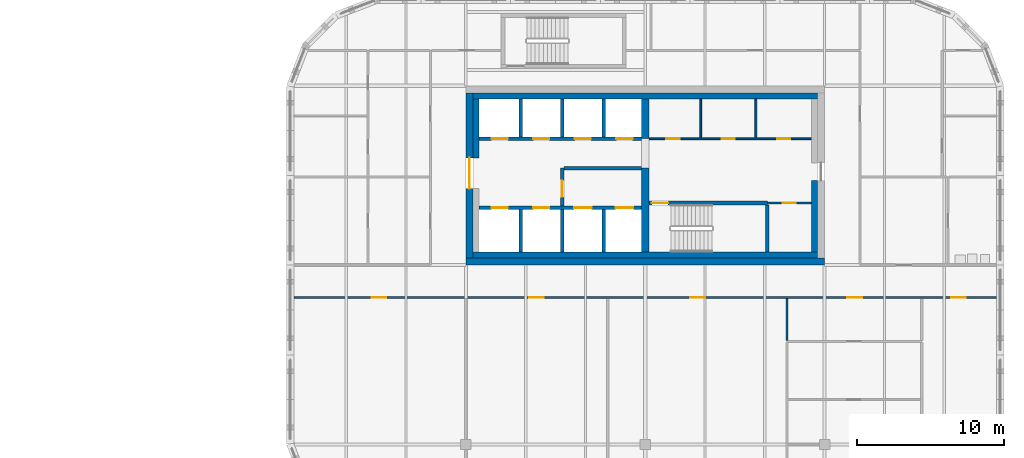
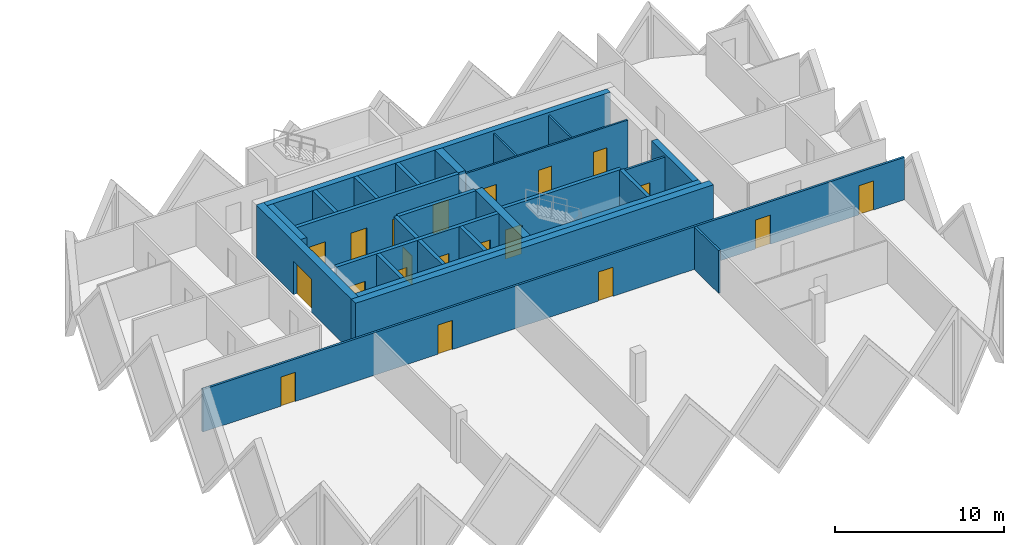
# One storey, part 13 of 19: 26 walls, 20 doors, 20 openings.
"""IFC4 building model written with IfcOpenShell, lengths in metres."""

import ifcopenshell
import ifcopenshell.guid

model = None  # the IFC model being written
_history = None  # IfcOwnerHistory: only IFC2X3 demands one
_inside = {}  # id of a spatial element -> (the spatial element, [elements in it])
_under = {}  # id of a project, library or spatial element -> (it, [spatial elements below it])
_declared = {}  # id of a project -> (the project, [libraries it declares])
_typed = {}  # id of a type object -> (the type object, [elements of that type])
_made_of = {}  # id of a material, layer set ... -> (it, [elements and type objects made of it])


def new_model(schema):
    """Start an empty IFC model of exactly this schema.

    Asked for "IFC4X3", IfcOpenShell would pick the latest addendum, in which some entities
    have other attributes; the version numbers below select the first issue.
    IFC2X3 requires an IfcOwnerHistory on every rooted entity: one is made here for all.
    """
    global model, _history
    if schema == "IFC4X3":
        model = ifcopenshell.file(schema_version=(4, 3, 0, 0))
    else:
        model = ifcopenshell.file(schema=schema)
    _inside.clear()
    _under.clear()
    _declared.clear()
    _typed.clear()
    _made_of.clear()
    _history = None
    if model.schema == "IFC2X3":
        org = make("IfcOrganization", Name="unknown")
        user = make(
            "IfcPersonAndOrganization",
            ThePerson=make("IfcPerson", FamilyName="unknown"),
            TheOrganization=org,
        )
        app = make(
            "IfcApplication",
            ApplicationDeveloper=org,
            Version="unknown",
            ApplicationFullName="unknown",
            ApplicationIdentifier="unknown",
        )
        _history = make(
            "IfcOwnerHistory",
            OwningUser=user,
            OwningApplication=app,
            ChangeAction="ADDED",
            CreationDate=0,
        )
    return model


def make(cls, **values):
    """One entity of the class cls with the attributes given. An attribute that is None is left unset."""
    return model.create_entity(
        cls, **{name: value for name, value in values.items() if value is not None}
    )


def rooted(cls, **values):
    """An entity with a GlobalId (a new one), such as an element, a storey or a relation."""
    return make(cls, GlobalId=ifcopenshell.guid.new(), OwnerHistory=_history, **values)


def si_unit(unit_type, name, prefix=None):
    """IfcSIUnit, for example si_unit("LENGTHUNIT", "METRE", prefix="MILLI")."""
    return make("IfcSIUnit", UnitType=unit_type, Prefix=prefix, Name=name)


def assignment(units):
    """IfcUnitAssignment: the units of a project."""
    return None if units is None else make("IfcUnitAssignment", Units=units)


def point(xyz):
    """IfcCartesianPoint."""
    return None if xyz is None else make("IfcCartesianPoint", Coordinates=xyz)


def direction(xyz):
    """IfcDirection."""
    return None if xyz is None else make("IfcDirection", DirectionRatios=xyz)


def frame(location, z_axis=None, x_axis=None):
    """IfcAxis2Placement3D, a coordinate frame: its origin and axes. An axis left out is left unset."""
    return make(
        "IfcAxis2Placement3D",
        Location=point(location),
        Axis=direction(z_axis),
        RefDirection=direction(x_axis),
    )


def frame_2d(location, x_axis=None):
    """IfcAxis2Placement2D, a coordinate frame in the plane: its origin and x axis."""
    return make(
        "IfcAxis2Placement2D", Location=point(location), RefDirection=direction(x_axis)
    )


def origin():
    """The frame at (0, 0, 0) with its axes left unset."""
    return frame((0.0, 0.0, 0.0))


def place(relative_to, where):
    """IfcLocalPlacement: puts the frame where relative to a parent placement (None: the world)."""
    return make(
        "IfcLocalPlacement", PlacementRelTo=relative_to, RelativePlacement=where
    )


def context(
    kind, dimensions, precision=None, world=None, true_north=None, identifier=None
):
    """IfcGeometricRepresentationContext, for example the 3D "Model" context."""
    return make(
        "IfcGeometricRepresentationContext",
        ContextIdentifier=identifier,
        ContextType=kind,
        CoordinateSpaceDimension=dimensions,
        Precision=precision,
        WorldCoordinateSystem=world,
        TrueNorth=true_north,
    )


def subcontext(parent, identifier, kind, view, scale=None):
    """IfcGeometricRepresentationSubContext, for example "Body" below "Model"."""
    return make(
        "IfcGeometricRepresentationSubContext",
        ContextIdentifier=identifier,
        ContextType=kind,
        ParentContext=parent,
        TargetScale=scale,
        TargetView=view,
    )


def project(units=None, contexts=None):
    """IfcProject with its units and contexts."""
    return rooted(
        "IfcProject",
        Name="project",
        RepresentationContexts=contexts,
        UnitsInContext=assignment(units),
    )


def spatial(cls, under=None, at=None, **own):
    """A site, building, storey or space (cls), placed at a placement, below another one or the project."""
    s = rooted(cls, ObjectPlacement=at, **own)
    if under is not None:
        _under.setdefault(under.id(), (under, []))[1].append(s)
    return s


def profile(cls, at=None, kind="AREA", **sizes):
    """A parametric profile (cls). Its sizes go by their IFC names, for example OverallWidth=200.0."""
    return make(cls, ProfileType=kind, Position=at, **sizes)


def rectangle(**sizes):
    """IfcRectangleProfileDef."""
    return profile("IfcRectangleProfileDef", **sizes)


def extrude(swept, where, along, depth):
    """IfcExtrudedAreaSolid: the profile swept, set in the frame where, extruded along a direction by depth."""
    return make(
        "IfcExtrudedAreaSolid",
        SweptArea=swept,
        Position=where,
        ExtrudedDirection=direction(along),
        Depth=depth,
    )


def shape(context_of_items, identifier, shape_type, items):
    """IfcShapeRepresentation: the items that make up one representation, for example the "Body"."""
    return make(
        "IfcShapeRepresentation",
        ContextOfItems=context_of_items,
        RepresentationIdentifier=identifier,
        RepresentationType=shape_type,
        Items=items,
    )


def source(mapping_origin, context_of_items, identifier, shape_type, items):
    """IfcRepresentationMap: a shape defined once, which mapped items show again and again."""
    return make(
        "IfcRepresentationMap",
        MappingOrigin=mapping_origin,
        MappedRepresentation=shape(context_of_items, identifier, shape_type, items),
    )


def transform(
    local_origin,
    x_axis=None,
    y_axis=None,
    z_axis=None,
    scale=None,
    scale2=None,
    scale3=None,
    uniform=True,
):
    """IfcCartesianTransformationOperator3D, or its non-uniform kind. x_axis, y_axis, z_axis: its Axis1, 2, 3."""
    if uniform:
        return make(
            "IfcCartesianTransformationOperator3D",
            Axis1=direction(x_axis),
            Axis2=direction(y_axis),
            LocalOrigin=point(local_origin),
            Scale=scale,
            Axis3=direction(z_axis),
        )
    return make(
        "IfcCartesianTransformationOperator3DnonUniform",
        Axis1=direction(x_axis),
        Axis2=direction(y_axis),
        LocalOrigin=point(local_origin),
        Scale=scale,
        Axis3=direction(z_axis),
        Scale2=scale2,
        Scale3=scale3,
    )


def mapped(mapping_source, mapping_target):
    """IfcMappedItem: shows the shape of a source again, moved by a transform."""
    return make(
        "IfcMappedItem", MappingSource=mapping_source, MappingTarget=mapping_target
    )


def material(Name=None, Category=None):
    """IfcMaterial."""
    return make("IfcMaterial", Name=Name, Category=Category)


def layer(
    of_material, thickness, ventilated=None, Name=None, Category=None, Priority=None
):
    """IfcMaterialLayer: one layer of a wall or slab, of a material (None: an air gap)."""
    return make(
        "IfcMaterialLayer",
        Material=of_material,
        LayerThickness=thickness,
        IsVentilated=ventilated,
        Name=Name,
        Category=Category,
        Priority=Priority,
    )


def layer_set(layers, Name=None):
    """IfcMaterialLayerSet."""
    return make("IfcMaterialLayerSet", MaterialLayers=layers, LayerSetName=Name)


def made_of(thing, what):
    """Note that an element or type object is made of a material, layer set ...; save() writes the relation."""
    if what is not None:
        _made_of.setdefault(what.id(), (what, []))[1].append(thing)
    return thing


def type_object(cls, material=None, **own):
    """A type object (cls), such as IfcWallType, which elements share."""
    return made_of(rooted(cls, **own), material)


def element(
    cls,
    number,
    at=None,
    inside=None,
    cuts=None,
    type_object=None,
    material=None,
    context=None,
    identifier="Body",
    shape_type=None,
    held_by="IfcProductDefinitionShape",
    body=None,
    shapes=None,
    **own,
):
    """One element of the class cls, such as IfcWall. Its Tag is "e" and its number.

    at: its placement. inside: the storey or other place that contains it. cuts: it is an
    opening in that element (IfcRelVoidsElement). A single representation is given by context,
    identifier, shape_type and body (its items); several are given by shapes. held_by: the class
    of the entity that holds the representations. save() writes the other relations.
    """
    e = rooted(cls, Tag="e%d" % number, ObjectPlacement=at, **own)
    if body is not None:
        shapes = [shape(context, identifier, shape_type, body)]
    if shapes is not None:
        e.Representation = make(held_by, Representations=shapes)
    if inside is not None:
        _inside.setdefault(inside.id(), (inside, []))[1].append(e)
    if cuts is not None:
        rooted(
            "IfcRelVoidsElement", RelatingBuildingElement=cuts, RelatedOpeningElement=e
        )
    if type_object is not None:
        _typed.setdefault(type_object.id(), (type_object, []))[1].append(e)
    return made_of(e, material)


def fill(opening, filler):
    """IfcRelFillsElement: the door or window that sits in an opening."""
    return rooted(
        "IfcRelFillsElement",
        RelatingOpeningElement=opening,
        RelatedBuildingElement=filler,
    )


def aggregate(whole, parts):
    """IfcRelAggregates: a whole, such as a stair, and the parts it consists of."""
    return rooted("IfcRelAggregates", RelatingObject=whole, RelatedObjects=parts)


def save(model, path):
    """Write the relations noted so far, then the file.

    IfcRelAggregates (storeys below a building ...), IfcRelContainedInSpatialStructure (elements
    in a storey), IfcRelDefinesByType, IfcRelAssociatesMaterial and IfcRelDeclares: one each for
    every whole, place, type object, material and project.
    """
    for whole, parts in _under.values():
        aggregate(whole, parts)
    for where, things in _inside.values():
        rooted(
            "IfcRelContainedInSpatialStructure",
            RelatedElements=things,
            RelatingStructure=where,
        )
    for kind, things in _typed.values():
        rooted("IfcRelDefinesByType", RelatedObjects=things, RelatingType=kind)
    for what, things in _made_of.values():
        rooted("IfcRelAssociatesMaterial", RelatedObjects=things, RelatingMaterial=what)
    for by, libraries in _declared.values():
        rooted("IfcRelDeclares", RelatingContext=by, RelatedDefinitions=libraries)
    model.write(path)


model = new_model("IFC4")

# Units and contexts
model_context = context("Model", 3, precision=1e-05, world=origin(), true_north=direction((0.0, 1.0)))
body_context = subcontext(model_context, "Body", "Model", "MODEL_VIEW")
ifc_project = project(units=[si_unit("LENGTHUNIT", "METRE"), si_unit("AREAUNIT", "SQUARE_METRE"), si_unit("VOLUMEUNIT", "CUBIC_METRE"), si_unit("PLANEANGLEUNIT", "RADIAN"), si_unit("MASSUNIT", "GRAM", prefix="KILO")], contexts=[model_context])

# Site, building, storey
site_placement = place(None, origin())
site = spatial("IfcSite", under=ifc_project, at=site_placement, CompositionType="ELEMENT")
building_placement = place(site_placement, origin())
building = spatial("IfcBuilding", under=site, at=building_placement, Name="Tessera Gate Towers", CompositionType="ELEMENT")
storey_placement = place(building_placement, frame((0.0, 0.0, 83.800048828125)))
storey = spatial("IfcBuildingStorey", under=building, at=storey_placement, Name="L20", CompositionType="ELEMENT", Elevation=83.800048828125)

# Wall, openings, doors
ifc_material_1 = material(Name="Concrete C40/50", Category="concrete")
ifc_layer_1 = layer(ifc_material_1, 0.25)
ifc_layer_set_1 = layer_set([ifc_layer_1], Name="CORE ENCLOSURE WALL 250")
wall_type_1 = type_object("IfcWallType", Name="CORE ENCLOSURE WALL 250", PredefinedType="SOLIDWALL", material=ifc_layer_set_1)
wall_1_placement = place(storey_placement, frame((98.5, 40.5, 0.0), z_axis=(0.0, 0.0, 1.0), x_axis=(1.0, 0.0, 0.0)))
wall_1 = element("IfcWall", 1, at=wall_1_placement, inside=storey, type_object=wall_type_1, Name="L20 shaft and stair enclosure wall", PredefinedType="SOLIDWALL", context=body_context, shape_type="SweptSolid", body=[
    extrude(rectangle(XDim=11.050048828125, YDim=0.25, at=frame_2d((5.52490234375, 0.0))), origin(), (0.0, 0.0, 1.0), 3.800048828125),
])
shared_shape_1 = source(origin(), body_context, "Body", "SweptSolid", [
    extrude(rectangle(XDim=1.10009765625, YDim=2.10009765625, at=frame_2d((0.550048828125, 1.050048828125))), frame((0.0, 0.135009765625, 0.0), z_axis=(0.0, -1.0, 0.0), x_axis=(1.0, 0.0, 0.0)), (0.0, 0.0, 1.0), 0.27001953125),
])
opening_1_placement = place(wall_1_placement, frame((0.862548828125, 0.0, 0.0)))
opening_1 = element("IfcOpeningElement", 2, at=opening_1_placement, cuts=wall_1, Name="Opening LD-TL1", PredefinedType="OPENING", context=body_context, shape_type="MappedRepresentation", body=[
    mapped(shared_shape_1, transform((0.0, 0.0, 0.0), scale=1.0)),
])
opening_2_placement = place(wall_1_placement, frame((3.6875, 0.0, 0.0)))
opening_2 = element("IfcOpeningElement", 3, at=opening_2_placement, cuts=wall_1, Name="Opening LD-TL2", PredefinedType="OPENING", context=body_context, shape_type="MappedRepresentation", body=[
    mapped(shared_shape_1, transform((0.0, 0.0, 0.0), scale=1.0)),
])
shared_shape_2 = source(origin(), body_context, "Body", "SweptSolid", [
    extrude(rectangle(XDim=1.199951171875, YDim=2.10009765625, at=frame_2d((0.60009765625, 1.050048828125))), frame((0.0, 0.135009765625, 0.0), z_axis=(0.0, -1.0, 0.0), x_axis=(1.0, 0.0, 0.0)), (0.0, 0.0, 1.0), 0.27001953125),
])
opening_3_placement = place(wall_1_placement, frame((6.46240234375, 0.0, 0.0)))
opening_3 = element("IfcOpeningElement", 4, at=opening_3_placement, cuts=wall_1, Name="Opening LD-FF3", PredefinedType="OPENING", context=body_context, shape_type="MappedRepresentation", body=[
    mapped(shared_shape_2, transform((0.0, 0.0, 0.0), scale=1.0)),
])
opening_4_placement = place(wall_1_placement, frame((9.28759765625, 0.0, 0.0)))
opening_4 = element("IfcOpeningElement", 5, at=opening_4_placement, cuts=wall_1, Name="Opening LD-FF4", PredefinedType="OPENING", context=body_context, shape_type="MappedRepresentation", body=[
    mapped(shared_shape_2, transform((0.0, 0.0, 0.0), scale=1.0)),
])
ifc_material_2 = material(Name="Stainless steel", Category="steel")
door_type_1 = type_object("IfcDoorType", Name="CORE DOOR LD1200 1200x2100", OperationType="DOUBLE_DOOR_SLIDING", PredefinedType="DOOR", material=ifc_material_2)
shared_shape_3 = source(origin(), body_context, "Body", "SweptSolid", [
    extrude(rectangle(XDim=1.199951171875, YDim=2.10009765625, at=frame_2d((0.60009765625, 1.050048828125))), frame((0.0, 0.02490234375, 0.0), z_axis=(0.0, -1.0, 0.0), x_axis=(1.0, 0.0, 0.0)), (0.0, 0.0, 1.0), 0.050048828125),
])
door_1_placement = place(opening_3_placement, origin())
door_1 = element("IfcDoor", 6, at=door_1_placement, inside=storey, type_object=door_type_1, Name="Landing door FF3 L20", OperationType="DOUBLE_DOOR_SLIDING", OverallHeight=2.10009765625, OverallWidth=1.199951171875, PredefinedType="DOOR", context=body_context, shape_type="MappedRepresentation", body=[
    mapped(shared_shape_3, transform((0.0, 0.0, 0.0), scale=1.0)),
])
fill(opening_3, door_1)
door_2_placement = place(opening_4_placement, origin())
door_2 = element("IfcDoor", 7, at=door_2_placement, inside=storey, type_object=door_type_1, Name="Landing door FF4 L20", OperationType="DOUBLE_DOOR_SLIDING", OverallHeight=2.10009765625, OverallWidth=1.199951171875, PredefinedType="DOOR", context=body_context, shape_type="MappedRepresentation", body=[
    mapped(shared_shape_3, transform((0.0, 0.0, 0.0), scale=1.0)),
])
fill(opening_4, door_2)
ifc_material_3 = material(Name="Stainless steel", Category="steel")
door_type_2 = type_object("IfcDoorType", Name="CORE DOOR LD 1100x2100", OperationType="DOUBLE_DOOR_SLIDING", PredefinedType="DOOR", material=ifc_material_3)
shared_shape_4 = source(origin(), body_context, "Body", "SweptSolid", [
    extrude(rectangle(XDim=1.10009765625, YDim=2.10009765625, at=frame_2d((0.550048828125, 1.050048828125))), frame((0.0, 0.02490234375, 0.0), z_axis=(0.0, -1.0, 0.0), x_axis=(1.0, 0.0, 0.0)), (0.0, 0.0, 1.0), 0.050048828125),
])
door_3_placement = place(opening_1_placement, origin())
door_3 = element("IfcDoor", 8, at=door_3_placement, inside=storey, type_object=door_type_2, Name="Landing door TL1 L20", OperationType="DOUBLE_DOOR_SLIDING", OverallHeight=2.10009765625, OverallWidth=1.10009765625, PredefinedType="DOOR", context=body_context, shape_type="MappedRepresentation", body=[
    mapped(shared_shape_4, transform((0.0, 0.0, 0.0), scale=1.0)),
])
fill(opening_1, door_3)
door_4_placement = place(opening_2_placement, origin())
door_4 = element("IfcDoor", 9, at=door_4_placement, inside=storey, type_object=door_type_2, Name="Landing door TL2 L20", OperationType="DOUBLE_DOOR_SLIDING", OverallHeight=2.10009765625, OverallWidth=1.10009765625, PredefinedType="DOOR", context=body_context, shape_type="MappedRepresentation", body=[
    mapped(shared_shape_4, transform((0.0, 0.0, 0.0), scale=1.0)),
])
fill(opening_2, door_4)

wall_2_placement = place(storey_placement, frame((109.550048828125, 45.199951171875, 0.0), z_axis=(0.0, 0.0, 1.0), x_axis=(-1.0, 0.0, 0.0)))
wall_2 = element("IfcWall", 10, at=wall_2_placement, inside=storey, type_object=wall_type_1, Name="L20 shaft and stair enclosure wall", PredefinedType="SOLIDWALL", context=body_context, shape_type="SweptSolid", body=[
    extrude(rectangle(XDim=11.050048828125, YDim=0.25, at=frame_2d((5.52490234375, 0.0))), origin(), (0.0, 0.0, 1.0), 3.800048828125),
])
opening_5_placement = place(wall_2_placement, frame((9.08740234375, 0.0, 0.0)))
opening_5 = element("IfcOpeningElement", 11, at=opening_5_placement, cuts=wall_2, Name="Opening LD-TL3", PredefinedType="OPENING", context=body_context, shape_type="MappedRepresentation", body=[
    mapped(shared_shape_1, transform((0.0, 0.0, 0.0), scale=1.0)),
])
opening_6_placement = place(wall_2_placement, frame((6.262451171875, 0.0, 0.0)))
opening_6 = element("IfcOpeningElement", 12, at=opening_6_placement, cuts=wall_2, Name="Opening LD-TL4", PredefinedType="OPENING", context=body_context, shape_type="MappedRepresentation", body=[
    mapped(shared_shape_1, transform((0.0, 0.0, 0.0), scale=1.0)),
])
opening_7_placement = place(wall_2_placement, frame((3.4375, 0.0, 0.0)))
opening_7 = element("IfcOpeningElement", 13, at=opening_7_placement, cuts=wall_2, Name="Opening LD-TL5", PredefinedType="OPENING", context=body_context, shape_type="MappedRepresentation", body=[
    mapped(shared_shape_1, transform((0.0, 0.0, 0.0), scale=1.0)),
])
opening_8_placement = place(wall_2_placement, frame((0.612548828125, 0.0, 0.0)))
opening_8 = element("IfcOpeningElement", 14, at=opening_8_placement, cuts=wall_2, Name="Opening LD-TL6", PredefinedType="OPENING", context=body_context, shape_type="MappedRepresentation", body=[
    mapped(shared_shape_1, transform((0.0, 0.0, 0.0), scale=1.0)),
])
door_5_placement = place(opening_5_placement, origin())
door_5 = element("IfcDoor", 15, at=door_5_placement, inside=storey, type_object=door_type_2, Name="Landing door TL3 L20", OperationType="DOUBLE_DOOR_SLIDING", OverallHeight=2.10009765625, OverallWidth=1.10009765625, PredefinedType="DOOR", context=body_context, shape_type="MappedRepresentation", body=[
    mapped(shared_shape_4, transform((0.0, 0.0, 0.0), scale=1.0)),
])
fill(opening_5, door_5)
door_6_placement = place(opening_6_placement, origin())
door_6 = element("IfcDoor", 16, at=door_6_placement, inside=storey, type_object=door_type_2, Name="Landing door TL4 L20", OperationType="DOUBLE_DOOR_SLIDING", OverallHeight=2.10009765625, OverallWidth=1.10009765625, PredefinedType="DOOR", context=body_context, shape_type="MappedRepresentation", body=[
    mapped(shared_shape_4, transform((0.0, 0.0, 0.0), scale=1.0)),
])
fill(opening_6, door_6)
door_7_placement = place(opening_7_placement, origin())
door_7 = element("IfcDoor", 17, at=door_7_placement, inside=storey, type_object=door_type_2, Name="Landing door TL5 L20", OperationType="DOUBLE_DOOR_SLIDING", OverallHeight=2.10009765625, OverallWidth=1.10009765625, PredefinedType="DOOR", context=body_context, shape_type="MappedRepresentation", body=[
    mapped(shared_shape_4, transform((0.0, 0.0, 0.0), scale=1.0)),
])
fill(opening_7, door_7)
door_8_placement = place(opening_8_placement, origin())
door_8 = element("IfcDoor", 18, at=door_8_placement, inside=storey, type_object=door_type_2, Name="Landing door TL6 L20", OperationType="DOUBLE_DOOR_SLIDING", OverallHeight=2.10009765625, OverallWidth=1.10009765625, PredefinedType="DOOR", context=body_context, shape_type="MappedRepresentation", body=[
    mapped(shared_shape_4, transform((0.0, 0.0, 0.0), scale=1.0)),
])
fill(opening_8, door_8)

# Wall, opening, door
wall_3_placement = place(storey_placement, frame((118.10009765625, 40.824951171875, 0.0), z_axis=(0.0, 0.0, 1.0), x_axis=(-1.0, 0.0, 0.0)))
wall_3 = element("IfcWall", 19, at=wall_3_placement, inside=storey, type_object=wall_type_1, Name="L20 shaft and stair enclosure wall", PredefinedType="SOLIDWALL", context=body_context, shape_type="SweptSolid", body=[
    extrude(rectangle(XDim=8.050048828125, YDim=0.25, at=frame_2d((4.02490234375, 0.0))), origin(), (0.0, 0.0, 1.0), 3.800048828125),
])
opening_9_placement = place(wall_3_placement, frame((6.75, 0.0, 0.0)))
opening_9 = element("IfcOpeningElement", 20, at=opening_9_placement, cuts=wall_3, Name="Opening SD-ST6-1", PredefinedType="OPENING", context=body_context, shape_type="MappedRepresentation", body=[
    mapped(shared_shape_1, transform((0.0, 0.0, 0.0), scale=1.0)),
])
ifc_material_4 = material(Name="Hollow steel fire door", Category="steel")
door_type_3 = type_object("IfcDoorType", Name="CORE DOOR SD1100 1100x2100", OperationType="NOTDEFINED", PredefinedType="DOOR", material=ifc_material_4)
door_9_placement = place(opening_9_placement, origin())
door_9 = element("IfcDoor", 21, at=door_9_placement, inside=storey, type_object=door_type_3, Name="Stair door", OperationType="SINGLE_SWING_RIGHT", OverallHeight=2.10009765625, OverallWidth=1.10009765625, PredefinedType="DOOR", context=body_context, shape_type="MappedRepresentation", body=[
    mapped(shared_shape_4, transform((0.0, 0.0, 0.0), scale=1.0)),
])
fill(opening_9, door_9)

# Wall
wall_4_placement = place(storey_placement, frame((104.14990234375, 37.5, 0.0), z_axis=(0.0, 0.0, 1.0), x_axis=(0.0, 1.0, 0.0)))
element("IfcWall", 22, at=wall_4_placement, inside=storey, type_object=wall_type_1, Name="L20 shaft and stair enclosure wall", PredefinedType="SOLIDWALL", context=body_context, shape_type="SweptSolid", body=[
    extrude(rectangle(XDim=2.875, YDim=0.25, at=frame_2d((1.4375, 0.0))), origin(), (0.0, 0.0, 1.0), 3.800048828125),
])

# Wall, opening, door
wall_5_placement = place(storey_placement, frame((104.14990234375, 43.199951171875, 0.0), z_axis=(0.0, 0.0, 1.0), x_axis=(0.0, -1.0, 0.0)))
wall_5 = element("IfcWall", 23, at=wall_5_placement, inside=storey, type_object=wall_type_1, Name="L20 shaft and stair enclosure wall", PredefinedType="SOLIDWALL", context=body_context, shape_type="SweptSolid", body=[
    extrude(rectangle(XDim=2.574951171875, YDim=0.25, at=frame_2d((1.28759765625, 0.0))), origin(), (0.0, 0.0, 1.0), 3.800048828125),
])
opening_10_placement = place(wall_5_placement, frame((0.85009765625, 0.0, 0.0)))
opening_10 = element("IfcOpeningElement", 24, at=opening_10_placement, cuts=wall_5, Name="Opening FD-T2-11-03", PredefinedType="OPENING", context=body_context, shape_type="MappedRepresentation", body=[
    mapped(shared_shape_1, transform((0.0, 0.0, 0.0), scale=1.0)),
])
ifc_material_5 = material(Name="Hollow steel fire door", Category="steel")
door_type_4 = type_object("IfcDoorType", Name="CORE DOOR FD 1100x2100", OperationType="NOTDEFINED", PredefinedType="DOOR", material=ifc_material_5)
door_10_placement = place(opening_10_placement, origin())
door_10 = element("IfcDoor", 25, at=door_10_placement, inside=storey, type_object=door_type_4, Name="Fire-fighting lobby door", OperationType="SINGLE_SWING_RIGHT", OverallHeight=2.10009765625, OverallWidth=1.10009765625, PredefinedType="DOOR", context=body_context, shape_type="MappedRepresentation", body=[
    mapped(shared_shape_4, transform((0.0, 0.0, 0.0), scale=1.0)),
])
fill(opening_10, door_10)

# Walls
wall_6_placement = place(storey_placement, frame((104.27490234375, 43.199951171875, 0.0), z_axis=(0.0, 0.0, 1.0), x_axis=(1.0, 0.0, 0.0)))
element("IfcWall", 26, at=wall_6_placement, inside=storey, type_object=wall_type_1, Name="L20 shaft and stair enclosure wall", PredefinedType="SOLIDWALL", context=body_context, shape_type="SweptSolid", body=[
    extrude(rectangle(XDim=5.275146484375, YDim=0.25, at=frame_2d((2.6376953125, 0.0))), origin(), (0.0, 0.0, 1.0), 3.800048828125),
])
wall_7_placement = place(storey_placement, frame((118.10009765625, 37.5, 0.0), z_axis=(0.0, 0.0, 1.0), x_axis=(0.0, 1.0, 0.0)))
element("IfcWall", 27, at=wall_7_placement, inside=storey, type_object=wall_type_1, Name="L20 shaft and stair enclosure wall", PredefinedType="SOLIDWALL", context=body_context, shape_type="SweptSolid", body=[
    extrude(rectangle(XDim=3.199951171875, YDim=0.25, at=frame_2d((1.60009765625, 0.0))), origin(), (0.0, 0.0, 1.0), 3.800048828125),
])
for number, where, z_axis, x_axis, name in (
    (28, (101.324951171875, 37.5, 0.0), (0.0, 0.0, 1.0), (0.0, 1.0, 0.0), "L20 shaft and stair enclosure wall"),
    (29, (106.97509765625, 37.5, 0.0), (0.0, 0.0, 1.0), (0.0, 1.0, 0.0), "L20 shaft and stair enclosure wall"),
):
    element("IfcWall", number, at=place(storey_placement, frame(where, z_axis=z_axis, x_axis=x_axis)), inside=storey, type_object=wall_type_1, Name=name, PredefinedType="SOLIDWALL", context=body_context, shape_type="SweptSolid", body=[
        extrude(rectangle(XDim=2.875, YDim=0.25, at=frame_2d((1.4375, 0.0))), origin(), (0.0, 0.0, 1.0), 3.800048828125),
    ])
for number, where, z_axis, x_axis, name in (
    (30, (101.324951171875, 45.324951171875, 0.0), (0.0, 0.0, 1.0), (0.0, 1.0, 0.0), "L20 shaft and stair enclosure wall"),
    (31, (104.14990234375, 45.324951171875, 0.0), (0.0, 0.0, 1.0), (0.0, 1.0, 0.0), "L20 shaft and stair enclosure wall"),
    (32, (106.97509765625, 45.324951171875, 0.0), (0.0, 0.0, 1.0), (0.0, 1.0, 0.0), "L20 shaft and stair enclosure wall"),
):
    element("IfcWall", number, at=place(storey_placement, frame(where, z_axis=z_axis, x_axis=x_axis)), inside=storey, type_object=wall_type_1, Name=name, PredefinedType="SOLIDWALL", context=body_context, shape_type="SweptSolid", body=[
        extrude(rectangle(XDim=2.574951171875, YDim=0.25, at=frame_2d((1.28759765625, 0.0))), origin(), (0.0, 0.0, 1.0), 3.800048828125),
    ])

# Wall, openings, doors
ifc_material_6 = material(Name="Gypsum board on steel studs", Category="steel")
ifc_layer_2 = layer(ifc_material_6, 0.1201171875)
ifc_layer_set_2 = layer_set([ifc_layer_2], Name="CORE PARTITION 120")
wall_type_2 = type_object("IfcWallType", Name="CORE PARTITION 120", PredefinedType="PARTITIONING", material=ifc_layer_set_2)
wall_8_placement = place(storey_placement, frame((110.050048828125, 45.199951171875, 0.0), z_axis=(0.0, 0.0, 1.0), x_axis=(1.0, 0.0, 0.0)))
wall_8 = element("IfcWall", 33, at=wall_8_placement, inside=storey, type_object=wall_type_2, Name="L20 core partition", PredefinedType="PARTITIONING", context=body_context, shape_type="SweptSolid", body=[
    extrude(rectangle(XDim=11.050048828125, YDim=0.1201171875, at=frame_2d((5.52490234375, 0.0))), origin(), (0.0, 0.0, 1.0), 3.599853515625),
])
shared_shape_5 = source(origin(), body_context, "Body", "SweptSolid", [
    extrude(rectangle(XDim=0.89990234375, YDim=2.10009765625, at=frame_2d((0.449951171875, 1.050048828125))), frame((0.0, 0.070068359375, 0.0), z_axis=(0.0, -1.0, 0.0), x_axis=(1.0, 0.0, 0.0)), (0.0, 0.0, 1.0), 0.14013671875),
])
opening_11_placement = place(wall_8_placement, frame((1.1875, 0.0, 0.0)))
opening_11 = element("IfcOpeningElement", 34, at=opening_11_placement, cuts=wall_8, Name="Opening RD-T2-11-04", PredefinedType="OPENING", context=body_context, shape_type="MappedRepresentation", body=[
    mapped(shared_shape_5, transform((0.0, 0.0, 0.0), scale=1.0)),
])
opening_12_placement = place(wall_8_placement, frame((4.949951171875, 0.0, 0.0)))
opening_12 = element("IfcOpeningElement", 35, at=opening_12_placement, cuts=wall_8, Name="Opening RD-T2-11-05", PredefinedType="OPENING", context=body_context, shape_type="MappedRepresentation", body=[
    mapped(shared_shape_5, transform((0.0, 0.0, 0.0), scale=1.0)),
])
opening_13_placement = place(wall_8_placement, frame((8.71240234375, 0.0, 0.0)))
opening_13 = element("IfcOpeningElement", 36, at=opening_13_placement, cuts=wall_8, Name="Opening RD-T2-11-06", PredefinedType="OPENING", context=body_context, shape_type="MappedRepresentation", body=[
    mapped(shared_shape_5, transform((0.0, 0.0, 0.0), scale=1.0)),
])
ifc_material_7 = material(Name="Hollow steel fire door", Category="steel")
door_type_5 = type_object("IfcDoorType", Name="CORE DOOR RD 900x2100", OperationType="NOTDEFINED", PredefinedType="DOOR", material=ifc_material_7)
shared_shape_6 = source(origin(), body_context, "Body", "SweptSolid", [
    extrude(rectangle(XDim=0.89990234375, YDim=2.10009765625, at=frame_2d((0.449951171875, 1.050048828125))), frame((0.0, 0.02490234375, 0.0), z_axis=(0.0, -1.0, 0.0), x_axis=(1.0, 0.0, 0.0)), (0.0, 0.0, 1.0), 0.050048828125),
])
door_11_placement = place(opening_11_placement, origin())
door_11 = element("IfcDoor", 37, at=door_11_placement, inside=storey, type_object=door_type_5, Name="Core room door", OperationType="SINGLE_SWING_LEFT", OverallHeight=2.10009765625, OverallWidth=0.89990234375, PredefinedType="DOOR", context=body_context, shape_type="MappedRepresentation", body=[
    mapped(shared_shape_6, transform((0.0, 0.0, 0.0), scale=1.0)),
])
fill(opening_11, door_11)
door_12_placement = place(opening_12_placement, origin())
door_12 = element("IfcDoor", 38, at=door_12_placement, inside=storey, type_object=door_type_5, Name="Core room door", OperationType="SINGLE_SWING_LEFT", OverallHeight=2.10009765625, OverallWidth=0.89990234375, PredefinedType="DOOR", context=body_context, shape_type="MappedRepresentation", body=[
    mapped(shared_shape_6, transform((0.0, 0.0, 0.0), scale=1.0)),
])
fill(opening_12, door_12)
door_13_placement = place(opening_13_placement, origin())
door_13 = element("IfcDoor", 39, at=door_13_placement, inside=storey, type_object=door_type_5, Name="Core room door", OperationType="SINGLE_SWING_RIGHT", OverallHeight=2.10009765625, OverallWidth=0.89990234375, PredefinedType="DOOR", context=body_context, shape_type="MappedRepresentation", body=[
    mapped(shared_shape_6, transform((0.0, 0.0, 0.0), scale=1.0)),
])
fill(opening_13, door_13)

# Walls
for number, where, z_axis, x_axis, name in (
    (40, (113.574951171875, 45.260009765625, 0.0), (0.0, 0.0, 1.0), (0.0, 1.0, 0.0), "L20 core partition"),
    (41, (117.324951171875, 45.260009765625, 0.0), (0.0, 0.0, 1.0), (0.0, 1.0, 0.0), "L20 core partition"),
):
    element("IfcWall", number, at=place(storey_placement, frame(where, z_axis=z_axis, x_axis=x_axis)), inside=storey, type_object=wall_type_2, Name=name, PredefinedType="PARTITIONING", context=body_context, shape_type="SweptSolid", body=[
        extrude(rectangle(XDim=2.639892578125, YDim=0.1201171875, at=frame_2d((1.31982421875, 0.0))), origin(), (0.0, 0.0, 1.0), 3.599853515625),
    ])
ifc_material_8 = material(Name="Concrete C50/60", Category="concrete")
ifc_layer_3 = layer(ifc_material_8, 0.5)
ifc_layer_set_3 = layer_set([ifc_layer_3], Name="CORE SHEAR WALL 500 C50/60")
wall_type_3 = type_object("IfcWallType", Name="CORE SHEAR WALL 500 C50/60", PredefinedType="SHEAR", material=ifc_layer_set_3)
wall_9_placement = place(storey_placement, frame((122.0, 36.85009765625, 0.0), z_axis=(0.0, 0.0, 1.0), x_axis=(-1.0, 0.0, 0.0)))
element("IfcWall", 42, at=wall_9_placement, inside=storey, type_object=wall_type_3, Name="Core wall S L20", PredefinedType="SHEAR", context=body_context, shape_type="SweptSolid", body=[
    extrude(rectangle(XDim=24.39990234375, YDim=0.5, at=frame_2d((12.199951171875, 0.0))), origin(), (0.0, 0.0, 1.0), 3.800048828125),
])

# Wall, opening, door
wall_10_placement = place(storey_placement, frame((97.85009765625, 37.10009765625, 0.0), z_axis=(0.0, 0.0, 1.0), x_axis=(0.0, 1.0, 0.0)))
wall_10 = element("IfcWall", 43, at=wall_10_placement, inside=storey, type_object=wall_type_3, Name="Core wall W L20", PredefinedType="SHEAR", context=body_context, shape_type="SweptSolid", body=[
    extrude(rectangle(XDim=11.199951171875, YDim=0.5, at=frame_2d((5.60009765625, 0.0))), origin(), (0.0, 0.0, 1.0), 3.800048828125),
])
shared_shape_7 = source(origin(), body_context, "Body", "SweptSolid", [
    extrude(rectangle(XDim=2.10009765625, YDim=2.39990234375, at=frame_2d((1.050048828125, 1.199951171875))), frame((0.0, 0.260009765625, 0.0), z_axis=(0.0, -1.0, 0.0), x_axis=(1.0, 0.0, 0.0)), (0.0, 0.0, 1.0), 0.52001953125),
])
opening_14_placement = place(wall_10_placement, frame((4.699951171875, 0.0, 0.0)))
opening_14 = element("IfcOpeningElement", 44, at=opening_14_placement, cuts=wall_10, Name="Opening DD-T2-11-01", PredefinedType="OPENING", context=body_context, shape_type="MappedRepresentation", body=[
    mapped(shared_shape_7, transform((0.0, 0.0, 0.0), scale=1.0)),
])
ifc_material_9 = material(Name="Hollow steel fire door", Category="steel")
door_type_6 = type_object("IfcDoorType", Name="CORE DOOR DD 2100x2400", OperationType="NOTDEFINED", PredefinedType="DOOR", material=ifc_material_9)
shared_shape_8 = source(origin(), body_context, "Body", "SweptSolid", [
    extrude(rectangle(XDim=2.10009765625, YDim=2.39990234375, at=frame_2d((1.050048828125, 1.199951171875))), frame((0.0, 0.02490234375, 0.0), z_axis=(0.0, -1.0, 0.0), x_axis=(1.0, 0.0, 0.0)), (0.0, 0.0, 1.0), 0.050048828125),
])
door_14_placement = place(opening_14_placement, origin())
door_14 = element("IfcDoor", 45, at=door_14_placement, inside=storey, type_object=door_type_6, Name="Core entrance door", OperationType="DOUBLE_DOOR_SINGLE_SWING", OverallHeight=2.39990234375, OverallWidth=2.10009765625, PredefinedType="DOOR", context=body_context, shape_type="MappedRepresentation", body=[
    mapped(shared_shape_8, transform((0.0, 0.0, 0.0), scale=1.0)),
])
fill(opening_14, door_14)

# Walls
ifc_material_10 = material(Name="Concrete C50/60", Category="concrete")
ifc_layer_4 = layer(ifc_material_10, 0.5)
ifc_layer_set_4 = layer_set([ifc_layer_4], Name="CORE SPINE WALL 500 C50/60")
wall_type_4 = type_object("IfcWallType", Name="CORE SPINE WALL 500 C50/60", PredefinedType="SHEAR", material=ifc_layer_set_4)
wall_11_placement = place(storey_placement, frame((109.800048828125, 37.5, 0.0), z_axis=(0.0, 0.0, 1.0), x_axis=(0.0, 1.0, 0.0)))
element("IfcWall", 46, at=wall_11_placement, inside=storey, type_object=wall_type_4, Name="Core wall spine L20", PredefinedType="SHEAR", context=body_context, shape_type="SweptSolid", body=[
    extrude(rectangle(XDim=5.699951171875, YDim=0.5, at=frame_2d((2.85009765625, 0.0))), origin(), (0.0, 0.0, 1.0), 3.800048828125),
])
wall_12_placement = place(storey_placement, frame((109.800048828125, 45.199951171875, 0.0), z_axis=(0.0, 0.0, 1.0), x_axis=(0.0, 1.0, 0.0)))
element("IfcWall", 47, at=wall_12_placement, inside=storey, type_object=wall_type_4, Name="Core wall spine L20", PredefinedType="SHEAR", context=body_context, shape_type="SweptSolid", body=[
    extrude(rectangle(XDim=2.699951171875, YDim=0.5, at=frame_2d((1.35009765625, 0.0))), origin(), (0.0, 0.0, 1.0), 3.800048828125),
])
ifc_material_11 = material(Name="Concrete C50/60", Category="concrete")
ifc_layer_5 = layer(ifc_material_11, 0.39990234375)
ifc_layer_set_5 = layer_set([ifc_layer_5], Name="CORE WALL THICKENING 400")
wall_type_5 = type_object("IfcWallType", Name="CORE WALL THICKENING 400", PredefinedType="SOLIDWALL", material=ifc_layer_set_5)
for number, where, z_axis, x_axis, name in (
    (48, (98.10009765625, 37.300048828125, 0.0), (0.0, 0.0, 1.0), (1.0, 0.0, 0.0), "Core wall thickening S L20"),
    (49, (98.10009765625, 48.10009765625, 0.0), (0.0, 0.0, 1.0), (1.0, 0.0, 0.0), "Core wall thickening N L20"),
):
    element("IfcWall", number, at=place(storey_placement, frame(where, z_axis=z_axis, x_axis=x_axis)), inside=storey, type_object=wall_type_5, Name=name, PredefinedType="SOLIDWALL", context=body_context, shape_type="SweptSolid", body=[
        extrude(rectangle(XDim=23.39990234375, YDim=0.39990234375, at=frame_2d((11.699951171875, 0.0))), origin(), (0.0, 0.0, 1.0), 3.800048828125),
    ])
wall_13_placement = place(storey_placement, frame((98.300048828125, 43.89990234375, 0.0), z_axis=(0.0, 0.0, 1.0), x_axis=(0.0, 1.0, 0.0)))
element("IfcWall", 50, at=wall_13_placement, inside=storey, type_object=wall_type_5, Name="Core wall thickening W L20", PredefinedType="SOLIDWALL", context=body_context, shape_type="SweptSolid", body=[
    extrude(rectangle(XDim=4.0, YDim=0.39990234375, at=frame_2d((2.0, 0.0))), origin(), (0.0, 0.0, 1.0), 3.800048828125),
])
wall_14_placement = place(storey_placement, frame((121.300048828125, 37.5, 0.0), z_axis=(0.0, 0.0, 1.0), x_axis=(0.0, 1.0, 0.0)))
element("IfcWall", 51, at=wall_14_placement, inside=storey, type_object=wall_type_5, Name="Core wall thickening E L20", PredefinedType="SOLIDWALL", context=body_context, shape_type="SweptSolid", body=[
    extrude(rectangle(XDim=4.85009765625, YDim=0.39990234375, at=frame_2d((2.425048828125, 0.0))), origin(), (0.0, 0.0, 1.0), 3.800048828125),
])

# Wall, openings, doors
ifc_material_12 = material(Name="Gypsum board on steel studs, mineral wool", Category="steel")
ifc_layer_6 = layer(ifc_material_12, 0.14990234375)
ifc_layer_set_6 = layer_set([ifc_layer_6], Name="CORRIDOR WALL 150")
wall_type_6 = type_object("IfcWallType", Name="CORRIDOR WALL 150", PredefinedType="PARTITIONING", material=ifc_layer_set_6)
wall_15_placement = place(storey_placement, frame((133.699951171875, 34.39990234375, 0.0), z_axis=(0.0, 0.0, 1.0), x_axis=(-1.0, 0.0, 0.0)))
wall_15 = element("IfcWall", 52, at=wall_15_placement, inside=storey, type_object=wall_type_6, Name="T2-L20-PW-011", PredefinedType="PARTITIONING", context=body_context, shape_type="SweptSolid", body=[
    extrude(rectangle(XDim=47.800048828125, YDim=0.14990234375, at=frame_2d((23.89990234375, 0.0))), origin(), (0.0, 0.0, 1.0), 3.06689453125),
])
shared_shape_9 = source(origin(), body_context, "Body", "SweptSolid", [
    extrude(rectangle(XDim=1.0, YDim=2.10009765625, at=frame_2d((0.5, 1.050048828125))), frame((0.0, 0.0849609375, 0.0), z_axis=(0.0, -1.0, 0.0), x_axis=(1.0, 0.0, 0.0)), (0.0, 0.0, 1.0), 0.169921875),
])
opening_15_placement = place(wall_15_placement, frame((2.09912109375, 0.0, 0.0)))
opening_15 = element("IfcOpeningElement", 53, at=opening_15_placement, cuts=wall_15, Name="Opening D2100FD60-B08-01", PredefinedType="OPENING", context=body_context, shape_type="MappedRepresentation", body=[
    mapped(shared_shape_9, transform((0.0, 0.0, 0.0), scale=1.0)),
])
opening_16_placement = place(wall_15_placement, frame((9.14892578125, 0.0, 0.0)))
opening_16 = element("IfcOpeningElement", 54, at=opening_16_placement, cuts=wall_15, Name="Opening D2100FD60-B08-05", PredefinedType="OPENING", context=body_context, shape_type="MappedRepresentation", body=[
    mapped(shared_shape_9, transform((0.0, 0.0, 0.0), scale=1.0)),
])
opening_17_placement = place(wall_15_placement, frame((30.799072265625, 0.0, 0.0)))
opening_17 = element("IfcOpeningElement", 55, at=opening_17_placement, cuts=wall_15, Name="Opening D2100FD60-B08-06", PredefinedType="OPENING", context=body_context, shape_type="MappedRepresentation", body=[
    mapped(shared_shape_9, transform((0.0, 0.0, 0.0), scale=1.0)),
])
opening_18_placement = place(wall_15_placement, frame((41.5, 0.0, 0.0)))
opening_18 = element("IfcOpeningElement", 56, at=opening_18_placement, cuts=wall_15, Name="Opening D2100FD60-B08-08", PredefinedType="OPENING", context=body_context, shape_type="MappedRepresentation", body=[
    mapped(shared_shape_9, transform((0.0, 0.0, 0.0), scale=1.0)),
])
opening_19_placement = place(wall_15_placement, frame((19.85009765625, 0.0, 0.0)))
opening_19 = element("IfcOpeningElement", 57, at=opening_19_placement, cuts=wall_15, Name="Opening D2100FD60-B08-10", PredefinedType="OPENING", context=body_context, shape_type="MappedRepresentation", body=[
    mapped(shared_shape_9, transform((0.0, 0.0, 0.0), scale=1.0)),
])
ifc_material_13 = material(Name="Timber door leaf in steel frame", Category="steel")
door_type_7 = type_object("IfcDoorType", Name="TENANCY ENTRANCE DOOR 1000 FD60", OperationType="NOTDEFINED", PredefinedType="DOOR", material=ifc_material_13)
shared_shape_10 = source(origin(), body_context, "Body", "SweptSolid", [
    extrude(rectangle(XDim=1.0, YDim=2.10009765625, at=frame_2d((0.5, 1.050048828125))), frame((0.0, 0.02490234375, 0.0), z_axis=(0.0, -1.0, 0.0), x_axis=(1.0, 0.0, 0.0)), (0.0, 0.0, 1.0), 0.050048828125),
])
door_15_placement = place(opening_15_placement, origin())
door_15 = element("IfcDoor", 58, at=door_15_placement, inside=storey, type_object=door_type_7, Name="T2-L20-PD-004", OperationType="SINGLE_SWING_RIGHT", OverallHeight=2.10009765625, OverallWidth=1.0, PredefinedType="DOOR", context=body_context, shape_type="MappedRepresentation", body=[
    mapped(shared_shape_10, transform((0.0, 0.0, 0.0), scale=1.0)),
])
fill(opening_15, door_15)
door_16_placement = place(opening_16_placement, origin())
door_16 = element("IfcDoor", 59, at=door_16_placement, inside=storey, type_object=door_type_7, Name="T2-L20-PD-012", OperationType="SINGLE_SWING_RIGHT", OverallHeight=2.10009765625, OverallWidth=1.0, PredefinedType="DOOR", context=body_context, shape_type="MappedRepresentation", body=[
    mapped(shared_shape_10, transform((0.0, 0.0, 0.0), scale=1.0)),
])
fill(opening_16, door_16)
door_17_placement = place(opening_17_placement, origin())
door_17 = element("IfcDoor", 60, at=door_17_placement, inside=storey, type_object=door_type_7, Name="T2-L20-PD-014", OperationType="SINGLE_SWING_RIGHT", OverallHeight=2.10009765625, OverallWidth=1.0, PredefinedType="DOOR", context=body_context, shape_type="MappedRepresentation", body=[
    mapped(shared_shape_10, transform((0.0, 0.0, 0.0), scale=1.0)),
])
fill(opening_17, door_17)
door_18_placement = place(opening_18_placement, origin())
door_18 = element("IfcDoor", 61, at=door_18_placement, inside=storey, type_object=door_type_7, Name="T2-L20-PD-016", OperationType="SINGLE_SWING_RIGHT", OverallHeight=2.10009765625, OverallWidth=1.0, PredefinedType="DOOR", context=body_context, shape_type="MappedRepresentation", body=[
    mapped(shared_shape_10, transform((0.0, 0.0, 0.0), scale=1.0)),
])
fill(opening_18, door_18)
door_19_placement = place(opening_19_placement, origin())
door_19 = element("IfcDoor", 62, at=door_19_placement, inside=storey, type_object=door_type_7, Name="T2-L20-PD-018", OperationType="SINGLE_SWING_RIGHT", OverallHeight=2.10009765625, OverallWidth=1.0, PredefinedType="DOOR", context=body_context, shape_type="MappedRepresentation", body=[
    mapped(shared_shape_10, transform((0.0, 0.0, 0.0), scale=1.0)),
])
fill(opening_19, door_19)

# Wall, opening, door
ifc_material_14 = material(Name="Gypsum board on steel studs", Category="steel")
ifc_layer_7 = layer(ifc_material_14, 0.14990234375)
ifc_layer_set_7 = layer_set([ifc_layer_7], Name="SERVICE ROOM WALL 150")
wall_type_7 = type_object("IfcWallType", Name="SERVICE ROOM WALL 150", PredefinedType="PARTITIONING", material=ifc_layer_set_7)
wall_16_placement = place(storey_placement, frame((121.10009765625, 40.824951171875, 0.0), z_axis=(0.0, 0.0, 1.0), x_axis=(-1.0, 0.0, 0.0)))
wall_16 = element("IfcWall", 63, at=wall_16_placement, inside=storey, type_object=wall_type_7, Name="L20 service room wall", PredefinedType="PARTITIONING", context=body_context, shape_type="SweptSolid", body=[
    extrude(rectangle(XDim=3.0, YDim=0.14990234375, at=frame_2d((1.5, 0.0))), origin(), (0.0, 0.0, 1.0), 3.599853515625),
])
shared_shape_11 = source(origin(), body_context, "Body", "SweptSolid", [
    extrude(rectangle(XDim=0.89990234375, YDim=2.10009765625, at=frame_2d((0.449951171875, 1.050048828125))), frame((0.0, 0.0849609375, 0.0), z_axis=(0.0, -1.0, 0.0), x_axis=(1.0, 0.0, 0.0)), (0.0, 0.0, 1.0), 0.169921875),
])
opening_20_placement = place(wall_16_placement, frame((1.050048828125, 0.0, 0.0)))
opening_20 = element("IfcOpeningElement", 64, at=opening_20_placement, cuts=wall_16, Name="Opening RD-T2-11-07", PredefinedType="OPENING", context=body_context, shape_type="MappedRepresentation", body=[
    mapped(shared_shape_11, transform((0.0, 0.0, 0.0), scale=1.0)),
])
door_20_placement = place(opening_20_placement, origin())
door_20 = element("IfcDoor", 65, at=door_20_placement, inside=storey, type_object=door_type_5, Name="Core room door", OperationType="SINGLE_SWING_RIGHT", OverallHeight=2.10009765625, OverallWidth=0.89990234375, PredefinedType="DOOR", context=body_context, shape_type="MappedRepresentation", body=[
    mapped(shared_shape_6, transform((0.0, 0.0, 0.0), scale=1.0)),
])
fill(opening_20, door_20)

# Wall
ifc_material_15 = material(Name="Gypsum board on steel studs, mineral wool", Category="steel")
ifc_layer_8 = layer(ifc_material_15, 0.14990234375)
ifc_layer_set_8 = layer_set([ifc_layer_8], Name="TENANCY WALL 150")
wall_type_8 = type_object("IfcWallType", Name="TENANCY WALL 150", PredefinedType="PARTITIONING", material=ifc_layer_set_8)
wall_17_placement = place(storey_placement, frame((119.449951171875, 31.47607421875, 0.0), z_axis=(0.0, 0.0, 1.0), x_axis=(0.0, 1.0, 0.0)))
element("IfcWall", 66, at=wall_17_placement, inside=storey, type_object=wall_type_8, Name="T2-L20-PW-009", PredefinedType="PARTITIONING", context=body_context, shape_type="SweptSolid", body=[
    extrude(rectangle(XDim=2.847900390625, YDim=0.14990234375, at=frame_2d((1.423828125, 0.0))), origin(), (0.0, 0.0, 1.0), 3.06689453125),
])

save(model, "model.ifc")
